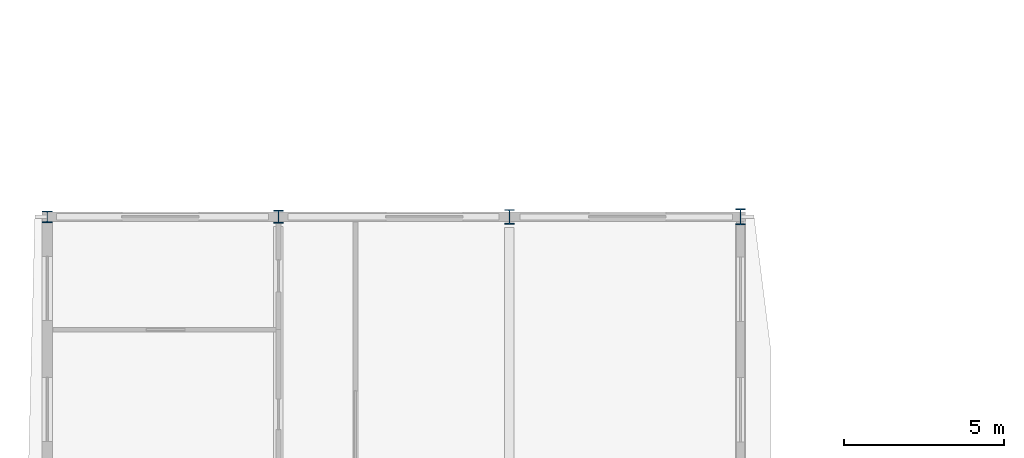
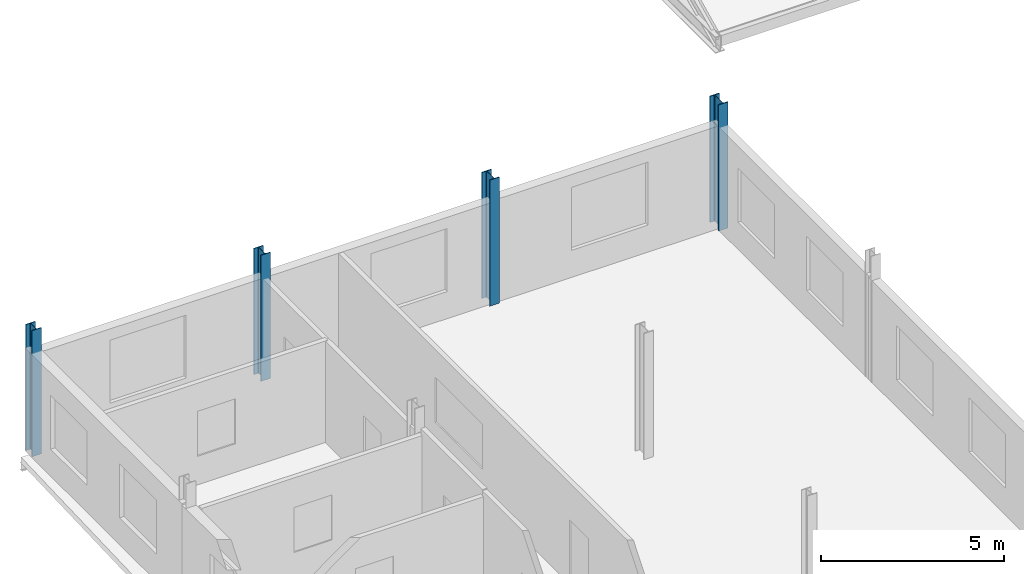
# One storey, part 22 of 138: 4 columns.
"""IFC4 building model written with IfcOpenShell, lengths in metres."""

from ifc_helpers import new_model, si_unit, direction, frame, origin, origin_2d, place, context, subcontext, project, spatial, i_section, extrude, material, material_profile, profile_set, type_object, element, save


model = new_model("IFC4")

# Units and contexts
model_context = context("Model", 3, precision=1e-05, world=origin(), true_north=direction((0.0, 1.0)))
body_context = subcontext(model_context, "Body", "Model", "MODEL_VIEW")
ifc_project = project(units=[si_unit("LENGTHUNIT", "METRE"), si_unit("AREAUNIT", "SQUARE_METRE"), si_unit("VOLUMEUNIT", "CUBIC_METRE"), si_unit("PLANEANGLEUNIT", "RADIAN"), si_unit("MASSUNIT", "GRAM", prefix="KILO")], contexts=[model_context])

# Site, building, storey
site_placement = place(None, origin())
site = spatial("IfcSite", under=ifc_project, at=site_placement, CompositionType="ELEMENT")
building_placement = place(site_placement, origin())
building = spatial("IfcBuilding", under=site, at=building_placement, Name="Vinh Khe Railworks Police Headquarters", CompositionType="ELEMENT")
storey_placement = place(building_placement, frame((0.0, 0.0, 9.0)))
storey = spatial("IfcBuildingStorey", under=building, at=storey_placement, Name="L02", CompositionType="ELEMENT", Elevation=9.0)

# Columns
ifc_material = material(Name="Steel S355JR", Category="steel")
ifc_material_profile_1 = material_profile(ifc_material, i_section(OverallWidth=0.300048828125, OverallDepth=0.360107421875, WebThickness=0.012451171875, FlangeThickness=0.0224609375, FilletRadius=0.027099609375, at=origin_2d()), Name="HEB 360")
ifc_profile_set_1 = profile_set([ifc_material_profile_1], Name="Steel S355JR")
column_type_1 = type_object("IfcColumnType", Name="Steel Column HEB 360", PredefinedType="COLUMN", material=ifc_profile_set_1)
column_1_placement = place(storey_placement, frame((0.60009765625, 130.800048828125, 0.0), z_axis=(0.0, 0.0, 1.0), x_axis=(1.0, 0.0, 0.0)))
element("IfcColumn", 1, at=column_1_placement, inside=storey, type_object=column_type_1, Name="Column COL-L02-SC-09-0164", PredefinedType="COLUMN", context=body_context, shape_type="SweptSolid", body=[
    extrude(i_section(OverallWidth=0.300048828125, OverallDepth=0.360107421875, WebThickness=0.012451171875, FlangeThickness=0.0224609375, FilletRadius=0.027099609375, at=origin_2d()), origin(), (0.0, 0.0, 1.0), 4.199951171875),
])
ifc_material_profile_2 = material_profile(ifc_material, i_section(OverallWidth=0.300048828125, OverallDepth=0.39990234375, WebThickness=0.013427734375, FlangeThickness=0.02392578125, FilletRadius=0.027099609375, at=origin_2d()), Name="HEB 400")
ifc_profile_set_2 = profile_set([ifc_material_profile_2], Name="Steel S355JR")
column_type_2 = type_object("IfcColumnType", Name="Steel Column HEB 400", PredefinedType="COLUMN", material=ifc_profile_set_2)
column_2_placement = place(storey_placement, frame((7.800048828125, 130.800048828125, 0.0), z_axis=(0.0, 0.0, 1.0), x_axis=(1.0, 0.0, 0.0)))
element("IfcColumn", 2, at=column_2_placement, inside=storey, type_object=column_type_2, Name="Column COL-L02-SC-08-0331", PredefinedType="COLUMN", context=body_context, shape_type="SweptSolid", body=[
    extrude(i_section(OverallWidth=0.300048828125, OverallDepth=0.39990234375, WebThickness=0.013427734375, FlangeThickness=0.02392578125, FilletRadius=0.027099609375, at=origin_2d()), origin(), (0.0, 0.0, 1.0), 4.199951171875),
])
ifc_material_profile_3 = material_profile(ifc_material, i_section(OverallWidth=0.300048828125, OverallDepth=0.449951171875, WebThickness=0.013916015625, FlangeThickness=0.02587890625, FilletRadius=0.027099609375, at=origin_2d()), Name="HEB 450")
ifc_profile_set_3 = profile_set([ifc_material_profile_3], Name="Steel S355JR")
column_type_3 = type_object("IfcColumnType", Name="Steel Column HEB 450", PredefinedType="COLUMN", material=ifc_profile_set_3)
column_3_placement = place(storey_placement, frame((15.0, 130.800048828125, 0.0), z_axis=(0.0, 0.0, 1.0), x_axis=(1.0, 0.0, 0.0)))
element("IfcColumn", 3, at=column_3_placement, inside=storey, type_object=column_type_3, Name="Column COL-L02-SC-07-0498", PredefinedType="COLUMN", context=body_context, shape_type="SweptSolid", body=[
    extrude(i_section(OverallWidth=0.300048828125, OverallDepth=0.449951171875, WebThickness=0.013916015625, FlangeThickness=0.02587890625, FilletRadius=0.027099609375, at=origin_2d()), origin(), (0.0, 0.0, 1.0), 4.199951171875),
])
ifc_material_profile_4 = material_profile(ifc_material, i_section(OverallWidth=0.300048828125, OverallDepth=0.5, WebThickness=0.014404296875, FlangeThickness=0.028076171875, FilletRadius=0.027099609375, at=origin_2d()), Name="HEB 500")
ifc_profile_set_4 = profile_set([ifc_material_profile_4], Name="Steel S355JR")
column_type_4 = type_object("IfcColumnType", Name="Steel Column HEB 500", PredefinedType="COLUMN", material=ifc_profile_set_4)
column_4_placement = place(storey_placement, frame((22.199951171875, 130.800048828125, 0.0), z_axis=(0.0, 0.0, 1.0), x_axis=(1.0, 0.0, 0.0)))
element("IfcColumn", 4, at=column_4_placement, inside=storey, type_object=column_type_4, Name="Column COL-L02-SC-06-0651", PredefinedType="COLUMN", context=body_context, shape_type="SweptSolid", body=[
    extrude(i_section(OverallWidth=0.300048828125, OverallDepth=0.5, WebThickness=0.014404296875, FlangeThickness=0.028076171875, FilletRadius=0.027099609375, at=origin_2d()), origin(), (0.0, 0.0, 1.0), 4.199951171875),
])

save(model, "model.ifc")
